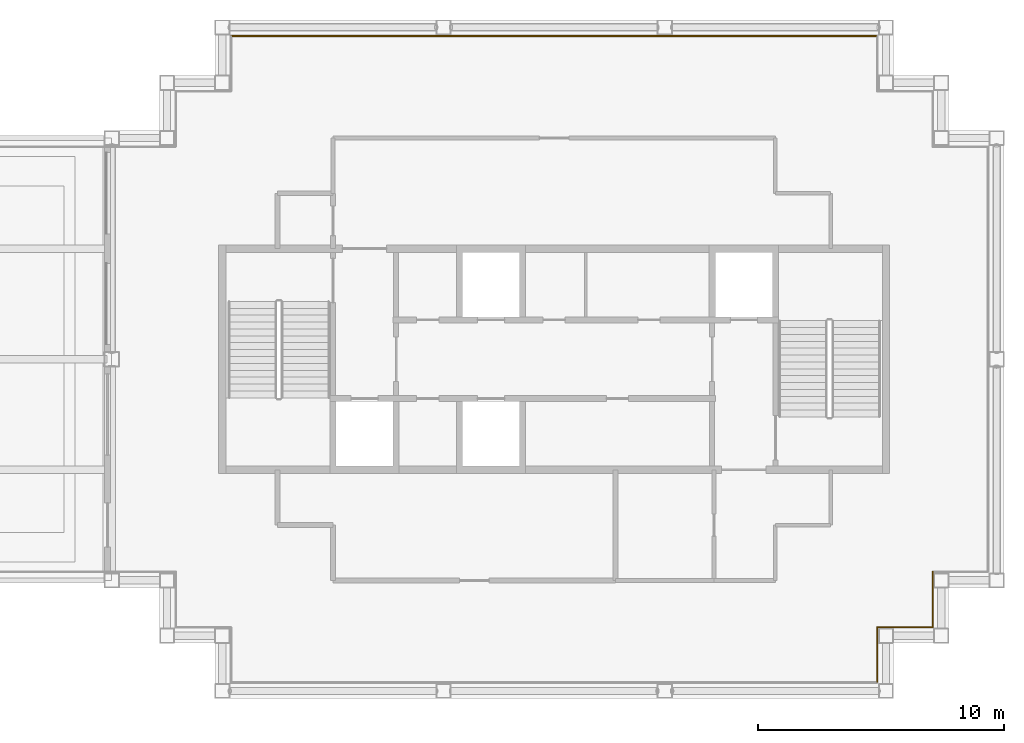
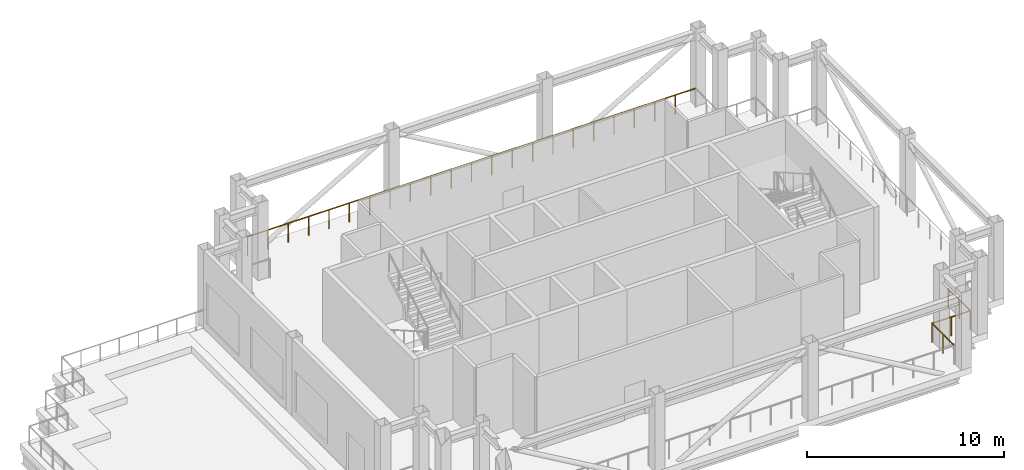
# One storey, part 8 of 9: 4 railings.
"""IFC4 building model written with IfcOpenShell, lengths in metres."""

from ifc_helpers import new_model, si_unit, direction, frame, origin, origin_2d, place, context, subcontext, project, spatial, circle, extrude, material, type_object, element, save


model = new_model("IFC4")

# Units and contexts
model_context = context("Model", 3, precision=1e-05, world=origin(), true_north=direction((0.0, 1.0)))
body_context = subcontext(model_context, "Body", "Model", "MODEL_VIEW")
ifc_project = project(units=[si_unit("LENGTHUNIT", "METRE"), si_unit("AREAUNIT", "SQUARE_METRE"), si_unit("VOLUMEUNIT", "CUBIC_METRE"), si_unit("PLANEANGLEUNIT", "RADIAN"), si_unit("MASSUNIT", "GRAM", prefix="KILO")], contexts=[model_context])

# Site, building, storey
site_placement = place(None, origin())
site = spatial("IfcSite", under=ifc_project, at=site_placement, CompositionType="ELEMENT")
building_placement = place(site_placement, origin())
building = spatial("IfcBuilding", under=site, at=building_placement, Name="Caravel Reach Hotel and Residences", CompositionType="ELEMENT")
storey_placement = place(building_placement, frame((0.0, 0.0, 278.60009765625)))
storey = spatial("IfcBuildingStorey", under=building, at=storey_placement, Name="L71", CompositionType="ELEMENT", Elevation=278.60009765625)

# Railings
ifc_material = material(Name="Stainless steel S30408", Category="steel")
railing_type = type_object("IfcRailingType", Name="G1 Guard 1200 stainless", PredefinedType="GUARDRAIL", material=ifc_material)
railing_1_placement = place(storey_placement, frame((44.64990234375, 13.85009765625, 0.0)))
element("IfcRailing", 1, at=railing_1_placement, inside=storey, type_object=railing_type, Name="Guard L71 1 run 7", PredefinedType="GUARDRAIL", context=body_context, shape_type="SweptSolid", body=[
    extrude(circle(Radius=0.02392578125, at=origin_2d()), frame((0.0, 0.0, 1.17578125), z_axis=(0.0, 1.0, 0.0), x_axis=(-1.0, 0.0, 0.0)), (0.0, 0.0, 1.0), 2.25),
    extrude(circle(Radius=0.02099609375, at=origin_2d()), frame((0.0, 1.125, 0.0)), (0.0, 0.0, 1.0), 1.15185546875),
    extrude(circle(Radius=0.02099609375, at=origin_2d()), frame((0.0, 2.25, 0.0)), (0.0, 0.0, 1.0), 1.15185546875),
])
railing_2_placement = place(storey_placement, frame((44.64990234375, 16.10009765625, 0.0)))
element("IfcRailing", 2, at=railing_2_placement, inside=storey, type_object=railing_type, Name="Guard L71 1 run 8", PredefinedType="GUARDRAIL", context=body_context, shape_type="SweptSolid", body=[
    extrude(circle(Radius=0.02392578125, at=origin_2d()), frame((0.0, 0.0, 1.17578125), z_axis=(1.0, 0.0, 0.0), x_axis=(0.0, 1.0, 0.0)), (0.0, 0.0, 1.0), 2.25),
    extrude(circle(Radius=0.02099609375, at=origin_2d()), frame((1.125, 0.0, 0.0)), (0.0, 0.0, 1.0), 1.15185546875),
    extrude(circle(Radius=0.02099609375, at=origin_2d()), frame((2.25, 0.0, 0.0)), (0.0, 0.0, 1.0), 1.15185546875),
])
railing_3_placement = place(storey_placement, frame((46.89990234375, 16.10009765625, 0.0)))
element("IfcRailing", 3, at=railing_3_placement, inside=storey, type_object=railing_type, Name="Guard L71 1 run 9", PredefinedType="GUARDRAIL", context=body_context, shape_type="SweptSolid", body=[
    extrude(circle(Radius=0.02392578125, at=origin_2d()), frame((0.0, 0.0, 1.17578125), z_axis=(0.0, 1.0, 0.0), x_axis=(-1.0, 0.0, 0.0)), (0.0, 0.0, 1.0), 2.25),
    extrude(circle(Radius=0.02099609375, at=origin_2d()), frame((0.0, 1.125, 0.0)), (0.0, 0.0, 1.0), 1.15185546875),
    extrude(circle(Radius=0.02099609375, at=origin_2d()), frame((0.0, 2.25, 0.0)), (0.0, 0.0, 1.0), 1.15185546875),
])
railing_4_placement = place(storey_placement, frame((44.64990234375, 40.14990234375, 0.0)))
element("IfcRailing", 4, at=railing_4_placement, inside=storey, type_object=railing_type, Name="Guard L71 1 run 16", PredefinedType="GUARDRAIL", context=body_context, shape_type="SweptSolid", body=[
    extrude(circle(Radius=0.02392578125, at=origin_2d()), frame((0.0, 0.0, 1.17578125), z_axis=(-1.0, 0.0, 0.0), x_axis=(0.0, -1.0, 0.0)), (0.0, 0.0, 1.0), 26.2998046875),
    extrude(circle(Radius=0.02099609375, at=origin_2d()), frame((-1.195556640625, 0.0, 0.0)), (0.0, 0.0, 1.0), 1.15185546875),
    extrude(circle(Radius=0.02099609375, at=origin_2d()), frame((-2.390869140625, 0.0, 0.0)), (0.0, 0.0, 1.0), 1.15185546875),
    extrude(circle(Radius=0.02099609375, at=origin_2d()), frame((-3.58642578125, 0.0, 0.0)), (0.0, 0.0, 1.0), 1.15185546875),
    extrude(circle(Radius=0.02099609375, at=origin_2d()), frame((-4.78173828125, 0.0, 0.0)), (0.0, 0.0, 1.0), 1.15185546875),
    extrude(circle(Radius=0.02099609375, at=origin_2d()), frame((-5.977294921875, 0.0, 0.0)), (0.0, 0.0, 1.0), 1.15185546875),
    extrude(circle(Radius=0.02099609375, at=origin_2d()), frame((-7.172607421875, 0.0, 0.0)), (0.0, 0.0, 1.0), 1.15185546875),
    extrude(circle(Radius=0.02099609375, at=origin_2d()), frame((-8.3681640625, 0.0, 0.0)), (0.0, 0.0, 1.0), 1.15185546875),
    extrude(circle(Radius=0.02099609375, at=origin_2d()), frame((-9.5634765625, 0.0, 0.0)), (0.0, 0.0, 1.0), 1.15185546875),
    extrude(circle(Radius=0.02099609375, at=origin_2d()), frame((-10.759033203125, 0.0, 0.0)), (0.0, 0.0, 1.0), 1.15185546875),
    extrude(circle(Radius=0.02099609375, at=origin_2d()), frame((-11.954345703125, 0.0, 0.0)), (0.0, 0.0, 1.0), 1.15185546875),
    extrude(circle(Radius=0.02099609375, at=origin_2d()), frame((-13.14990234375, 0.0, 0.0)), (0.0, 0.0, 1.0), 1.15185546875),
    extrude(circle(Radius=0.02099609375, at=origin_2d()), frame((-14.345458984375, 0.0, 0.0)), (0.0, 0.0, 1.0), 1.15185546875),
    extrude(circle(Radius=0.02099609375, at=origin_2d()), frame((-15.540771484375, 0.0, 0.0)), (0.0, 0.0, 1.0), 1.15185546875),
    extrude(circle(Radius=0.02099609375, at=origin_2d()), frame((-16.736328125, 0.0, 0.0)), (0.0, 0.0, 1.0), 1.15185546875),
    extrude(circle(Radius=0.02099609375, at=origin_2d()), frame((-17.931640625, 0.0, 0.0)), (0.0, 0.0, 1.0), 1.15185546875),
    extrude(circle(Radius=0.02099609375, at=origin_2d()), frame((-19.127197265625, 0.0, 0.0)), (0.0, 0.0, 1.0), 1.15185546875),
    extrude(circle(Radius=0.02099609375, at=origin_2d()), frame((-20.322509765625, 0.0, 0.0)), (0.0, 0.0, 1.0), 1.15185546875),
    extrude(circle(Radius=0.02099609375, at=origin_2d()), frame((-21.51806640625, 0.0, 0.0)), (0.0, 0.0, 1.0), 1.15185546875),
    extrude(circle(Radius=0.02099609375, at=origin_2d()), frame((-22.71337890625, 0.0, 0.0)), (0.0, 0.0, 1.0), 1.15185546875),
    extrude(circle(Radius=0.02099609375, at=origin_2d()), frame((-23.908935546875, 0.0, 0.0)), (0.0, 0.0, 1.0), 1.15185546875),
    extrude(circle(Radius=0.02099609375, at=origin_2d()), frame((-25.104248046875, 0.0, 0.0)), (0.0, 0.0, 1.0), 1.15185546875),
    extrude(circle(Radius=0.02099609375, at=origin_2d()), frame((-26.2998046875, 0.0, 0.0)), (0.0, 0.0, 1.0), 1.15185546875),
])

save(model, "model.ifc")
